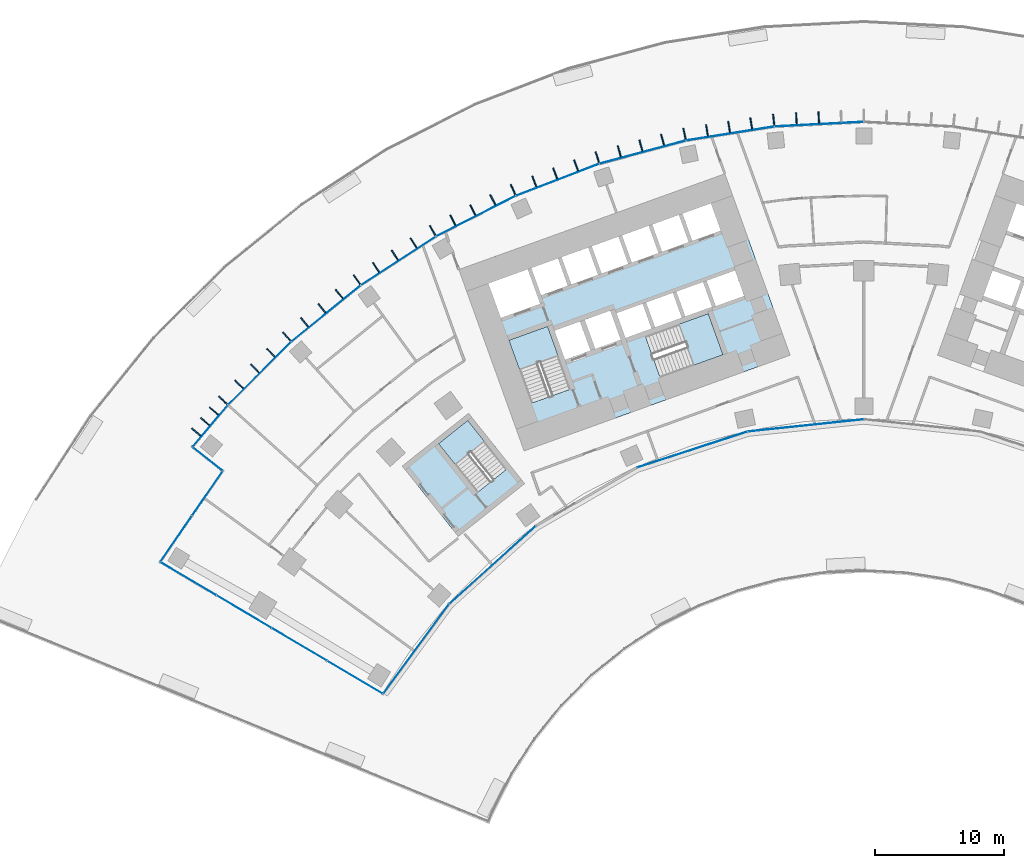
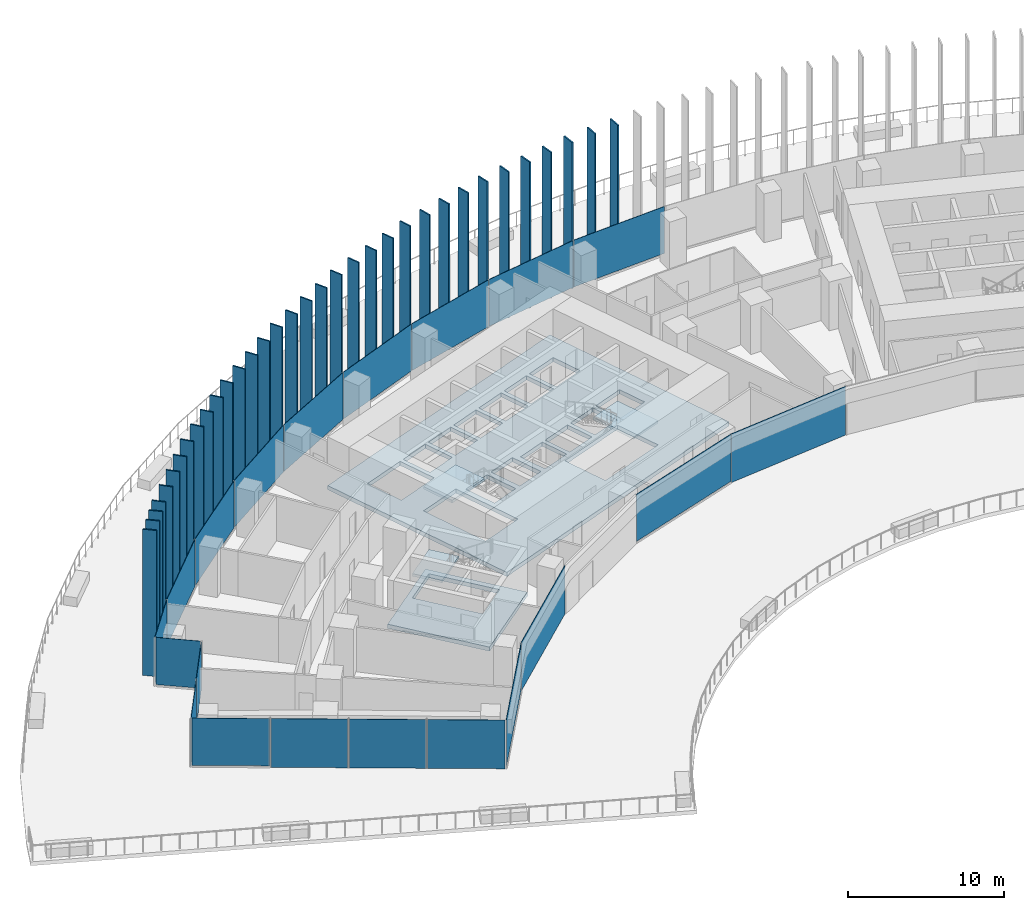
# One storey, part 12 of 24: 54 plates, 5 slabs, 8 elements without a shape of their own.
"""IFC4 building model written with IfcOpenShell, lengths in metres."""

from ifc_helpers import new_model, si_unit, direction, frame, origin, origin_2d, place, context, subcontext, project, spatial, polyline, rectangle, outline, extrude, material, layer, layer_set, type_object, element, aggregate, save


model = new_model("IFC4")

# Units and contexts
model_context = context("Model", 3, precision=1e-05, world=origin(), true_north=direction((0.0, 1.0)))
body_context = subcontext(model_context, "Body", "Model", "MODEL_VIEW")
ifc_project = project(units=[si_unit("LENGTHUNIT", "METRE"), si_unit("AREAUNIT", "SQUARE_METRE"), si_unit("VOLUMEUNIT", "CUBIC_METRE"), si_unit("PLANEANGLEUNIT", "RADIAN"), si_unit("MASSUNIT", "GRAM", prefix="KILO")], contexts=[model_context])

# Site, building, storey
site_placement = place(None, origin())
site = spatial("IfcSite", under=ifc_project, at=site_placement, CompositionType="ELEMENT")
building_placement = place(site_placement, origin())
building = spatial("IfcBuilding", under=site, at=building_placement, Name="Stone Belt Terrace Tower", CompositionType="ELEMENT")
storey_placement = place(building_placement, frame((0.0, 0.0, 30.0)))
storey = spatial("IfcBuildingStorey", under=building, at=storey_placement, Name="L06", CompositionType="ELEMENT", Elevation=30.0)

# Curtain wall, plates
ifc_material_1 = material(Name="Aluminium 6063-T6 anodised frame", Category="aluminium")
ifc_layer_1 = layer(ifc_material_1, 0.14990234375)
ifc_layer_set_1 = layer_set([ifc_layer_1], Name="CW-A unitised convex-face curtain wall")
curtain_wall_type_1 = type_object("IfcCurtainWallType", Name="CW-A unitised convex-face curtain wall", PredefinedType="NOTDEFINED", material=ifc_layer_set_1)
curtain_wall_1_placement = place(storey_placement, origin())
curtain_wall_1 = element("IfcCurtainWall", 1, at=curtain_wall_1_placement, inside=storey, type_object=curtain_wall_type_1, Name="CW-A convex face L06", PredefinedType="NOTDEFINED")
ifc_material_2 = material(Name="Clear double glazed unit")
ifc_layer_2 = layer(ifc_material_2, 0.031982421875)
ifc_layer_set_2 = layer_set([ifc_layer_2], Name="CW-A glass panel 32")
plate_type_1 = type_object("IfcPlateType", Name="CW-A glass panel 32", PredefinedType="CURTAIN_PANEL", material=ifc_layer_set_2)
plate_1_placement = place(storey_placement, frame((-3.4794921875, 66.392822265625, 0.14013671875), z_axis=(0.0, 0.0, 1.0), x_axis=(-0.998629534755, -0.052335956243, 0.0)))
plate_1 = element("IfcPlate", 2, at=plate_1_placement, type_object=plate_type_1, Name="CW-A panel 10.1", PredefinedType="CURTAIN_PANEL", context=body_context, shape_type="SweptSolid", body=[
    extrude(rectangle(XDim=6.90087890625, YDim=0.031982421875, at=origin_2d()), origin(), (0.0, 0.0, 1.0), 3.659912109375),
])
plate_2_placement = place(storey_placement, frame((-10.400390625, 65.665283203125, 0.14013671875), z_axis=(0.0, 0.0, 1.0), x_axis=(-0.987688340595, -0.15643446504, 0.0)))
plate_2 = element("IfcPlate", 3, at=plate_2_placement, type_object=plate_type_1, Name="CW-A panel 11.1", PredefinedType="CURTAIN_PANEL", context=body_context, shape_type="SweptSolid", body=[
    extrude(rectangle(XDim=6.90087890625, YDim=0.031982421875, at=origin_2d()), origin(), (0.0, 0.0, 1.0), 3.659912109375),
])
plate_3_placement = place(storey_placement, frame((-17.207275390625, 64.218505859375, 0.14013671875), z_axis=(0.0, 0.0, 1.0), x_axis=(-0.965925826289, -0.258819045103, 0.0)))
plate_3 = element("IfcPlate", 4, at=plate_3_placement, type_object=plate_type_1, Name="CW-A panel 12.1", PredefinedType="CURTAIN_PANEL", context=body_context, shape_type="SweptSolid", body=[
    extrude(rectangle(XDim=6.90087890625, YDim=0.031982421875, at=origin_2d()), origin(), (0.0, 0.0, 1.0), 3.659912109375),
])
plate_4_placement = place(storey_placement, frame((-23.82568359375, 62.068115234375, 0.14013671875), z_axis=(0.0, 0.0, 1.0), x_axis=(-0.933580426497, -0.358367949545, 0.0)))
plate_4 = element("IfcPlate", 5, at=plate_4_placement, type_object=plate_type_1, Name="CW-A panel 13.1", PredefinedType="CURTAIN_PANEL", context=body_context, shape_type="SweptSolid", body=[
    extrude(rectangle(XDim=6.90087890625, YDim=0.031982421875, at=origin_2d()), origin(), (0.0, 0.0, 1.0), 3.659912109375),
])
plate_5_placement = place(storey_placement, frame((-30.18310546875, 59.237548828125, 0.14013671875), z_axis=(0.0, 0.0, 1.0), x_axis=(-0.891006524188, -0.45399049974, 0.0)))
plate_5 = element("IfcPlate", 6, at=plate_5_placement, type_object=plate_type_1, Name="CW-A panel 14.1", PredefinedType="CURTAIN_PANEL", context=body_context, shape_type="SweptSolid", body=[
    extrude(rectangle(XDim=6.90087890625, YDim=0.031982421875, at=origin_2d()), origin(), (0.0, 0.0, 1.0), 3.659912109375),
])
plate_6_placement = place(storey_placement, frame((-36.209716796875, 55.758056640625, 0.14013671875), z_axis=(0.0, 0.0, 1.0), x_axis=(-0.838670567945, -0.544639035015, 0.0)))
plate_6 = element("IfcPlate", 7, at=plate_6_placement, type_object=plate_type_1, Name="CW-A panel 15.1", PredefinedType="CURTAIN_PANEL", context=body_context, shape_type="SweptSolid", body=[
    extrude(rectangle(XDim=6.90087890625, YDim=0.031982421875, at=origin_2d()), origin(), (0.0, 0.0, 1.0), 3.659912109375),
])
plate_7_placement = place(storey_placement, frame((-41.839599609375, 51.667724609375, 0.14013671875), z_axis=(0.0, 0.0, 1.0), x_axis=(-0.777145961457, -0.62932039105, 0.0)))
plate_7 = element("IfcPlate", 8, at=plate_7_placement, type_object=plate_type_1, Name="CW-A panel 16.1", PredefinedType="CURTAIN_PANEL", context=body_context, shape_type="SweptSolid", body=[
    extrude(rectangle(XDim=6.90087890625, YDim=0.031982421875, at=origin_2d()), origin(), (0.0, 0.0, 1.0), 3.659912109375),
])
plate_8_placement = place(storey_placement, frame((-47.01123046875, 47.01123046875, 0.14013671875), z_axis=(0.0, 0.0, 1.0), x_axis=(-0.707106781187, -0.707106781187, 0.0)))
plate_8 = element("IfcPlate", 9, at=plate_8_placement, type_object=plate_type_1, Name="CW-A panel 17.1", PredefinedType="CURTAIN_PANEL", context=body_context, shape_type="SweptSolid", body=[
    extrude(rectangle(XDim=6.90087890625, YDim=0.031982421875, at=origin_2d()), origin(), (0.0, 0.0, 1.0), 3.659912109375),
])
plate_9_placement = place(storey_placement, frame((-50.84423828125, 42.92626953125, 0.14013671875), z_axis=(0.0, 0.0, 1.0), x_axis=(-0.645291395384, -0.763936525533, 0.0)))
plate_9 = element("IfcPlate", 10, at=plate_9_placement, type_object=plate_type_1, Name="CW-A panel 18.1", PredefinedType="CURTAIN_PANEL", context=body_context, shape_type="SweptSolid", body=[
    extrude(rectangle(XDim=4.17919921875, YDim=0.031982421875, at=origin_2d()), origin(), (0.0, 0.0, 1.0), 3.659912109375),
])
aggregate(curtain_wall_1, [plate_1, plate_2, plate_3, plate_4, plate_5, plate_6, plate_7, plate_8, plate_9])

ifc_layer_3 = layer(ifc_material_1, 0.14990234375)
ifc_layer_set_3 = layer_set([ifc_layer_3], Name="CW-B unitised concave-face curtain wall")
curtain_wall_type_2 = type_object("IfcCurtainWallType", Name="CW-B unitised concave-face curtain wall", PredefinedType="NOTDEFINED", material=ifc_layer_set_3)
curtain_wall_2_placement = place(storey_placement, origin())
curtain_wall_2 = element("IfcCurtainWall", 11, at=curtain_wall_2_placement, inside=storey, type_object=curtain_wall_type_2, Name="CW-B concave face L06", PredefinedType="NOTDEFINED")
ifc_layer_4 = layer(ifc_material_2, 0.030029296875)
ifc_layer_set_4 = layer_set([ifc_layer_4], Name="CW-B glass panel 30")
plate_type_2 = type_object("IfcPlateType", Name="CW-B glass panel 30", PredefinedType="CURTAIN_PANEL", material=ifc_layer_set_4)
plate_10_placement = place(storey_placement, frame((-34.831787109375, 25.57177734375, 0.1201171875), z_axis=(0.0, 0.0, 1.0), x_axis=(0.592159017675, 0.805821132626, 0.0)))
plate_10 = element("IfcPlate", 12, at=plate_10_placement, type_object=plate_type_2, Name="CW-B panel 1.1", PredefinedType="CURTAIN_PANEL", context=body_context, shape_type="SweptSolid", body=[
    extrude(rectangle(XDim=8.583984375, YDim=0.030029296875, at=origin_2d()), origin(), (0.0, 0.0, 1.0), 3.679931640625),
])
plate_11_placement = place(storey_placement, frame((-28.897705078125, 32.09375, 0.0), z_axis=(0.0, 0.0, 1.0), x_axis=(0.743144825477, 0.669130606359, 0.0)))
plate_11 = element("IfcPlate", 13, at=plate_11_placement, type_object=plate_type_2, Name="CW-B panel 2.1", PredefinedType="CURTAIN_PANEL", context=body_context, shape_type="SweptSolid", body=[
    extrude(rectangle(XDim=9.01318359375, YDim=0.030029296875, at=origin_2d()), origin(), (0.0, 0.0, 1.0), 3.800048828125),
])
plate_12_placement = place(storey_placement, frame((-13.345458984375, 41.072998046875, 0.1201171875), z_axis=(0.0, 0.0, 1.0), x_axis=(0.951056516295, 0.309016994375, 0.0)))
plate_12 = element("IfcPlate", 14, at=plate_12_placement, type_object=plate_type_2, Name="CW-B panel 4.1", PredefinedType="CURTAIN_PANEL", context=body_context, shape_type="SweptSolid", body=[
    extrude(rectangle(XDim=9.0126953125, YDim=0.030029296875, at=origin_2d()), origin(), (0.0, 0.0, 1.0), 3.679931640625),
])
plate_13_placement = place(storey_placement, frame((-4.51416015625, 42.9501953125, 0.0), z_axis=(0.0, 0.0, 1.0), x_axis=(0.994521895368, 0.104528463268, 0.0)))
plate_13 = element("IfcPlate", 15, at=plate_13_placement, type_object=plate_type_2, Name="CW-B panel 5.1", PredefinedType="CURTAIN_PANEL", context=body_context, shape_type="SweptSolid", body=[
    extrude(rectangle(XDim=9.0126953125, YDim=0.030029296875, at=origin_2d()), origin(), (0.0, 0.0, 1.0), 3.800048828125),
])
aggregate(curtain_wall_2, [plate_10, plate_11, plate_12, plate_13])

# Curtain wall, plate
ifc_layer_5 = layer(ifc_material_1, 0.14990234375)
ifc_layer_set_5 = layer_set([ifc_layer_5], Name="CW-C stick curtain wall, horn ends and notches")
curtain_wall_type_3 = type_object("IfcCurtainWallType", Name="CW-C stick curtain wall, horn ends and notches", PredefinedType="NOTDEFINED", material=ifc_layer_set_5)
curtain_wall_3_placement = place(storey_placement, origin())
curtain_wall_3 = element("IfcCurtainWall", 16, at=curtain_wall_3_placement, inside=storey, type_object=curtain_wall_type_3, Name="CW-C notch face L06", PredefinedType="NOTDEFINED")
ifc_layer_6 = layer(ifc_material_2, 0.028076171875)
ifc_layer_set_6 = layer_set([ifc_layer_6], Name="CW-C glass panel 28")
plate_type_3 = type_object("IfcPlateType", Name="CW-C glass panel 28", PredefinedType="CURTAIN_PANEL", material=ifc_layer_set_6)
plate_14_placement = place(storey_placement, frame((-51.061279296875, 40.3388671875, 0.1201171875), z_axis=(0.0, 0.0, 1.0), x_axis=(0.783963828584, -0.620806504051, 0.0)))
plate_14 = element("IfcPlate", 17, at=plate_14_placement, type_object=plate_type_3, Name="CW-C panel 1.1", PredefinedType="CURTAIN_PANEL", context=body_context, shape_type="SweptSolid", body=[
    extrude(rectangle(XDim=2.859375, YDim=0.028076171875, at=origin_2d()), origin(), (0.0, 0.0, 1.0), 3.679931640625),
])
aggregate(curtain_wall_3, [plate_14])

# Curtain wall, plates
curtain_wall_4_placement = place(storey_placement, origin())
curtain_wall_4 = element("IfcCurtainWall", 18, at=curtain_wall_4_placement, inside=storey, type_object=curtain_wall_type_3, Name="CW-C notch face L06", PredefinedType="NOTDEFINED")
plate_15_placement = place(storey_placement, frame((-51.091552734375, 37.647705078125, 0.1201171875), z_axis=(0.0, 0.0, 1.0), x_axis=(-0.566375967567, -0.824146991357, 0.0)))
plate_15 = element("IfcPlate", 19, at=plate_15_placement, type_object=plate_type_3, Name="CW-C panel 1.1", PredefinedType="CURTAIN_PANEL", context=body_context, shape_type="SweptSolid", body=[
    extrude(rectangle(XDim=4.12060546875, YDim=0.028076171875, at=origin_2d()), origin(), (0.0, 0.0, 1.0), 3.679931640625),
])
plate_16_placement = place(storey_placement, frame((-53.501220703125, 34.141357421875, 0.0), z_axis=(0.0, 0.0, 1.0), x_axis=(-0.566375967567, -0.824146991357, 0.0)))
plate_16 = element("IfcPlate", 20, at=plate_16_placement, type_object=plate_type_3, Name="CW-C panel 2.1", PredefinedType="CURTAIN_PANEL", context=body_context, shape_type="SweptSolid", body=[
    extrude(rectangle(XDim=4.268798828125, YDim=0.028076171875, at=origin_2d()), origin(), (0.0, 0.0, 1.0), 3.800048828125),
])
aggregate(curtain_wall_4, [plate_15, plate_16])

curtain_wall_5_placement = place(storey_placement, origin())
curtain_wall_5 = element("IfcCurtainWall", 21, at=curtain_wall_5_placement, inside=storey, type_object=curtain_wall_type_3, Name="CW-C end face L06", PredefinedType="NOTDEFINED")
plate_17_placement = place(storey_placement, frame((-52.54736328125, 31.014892578125, 0.1201171875), z_axis=(0.0, 0.0, 1.0), x_axis=(0.860557728521, -0.509352918793, 0.0)))
plate_17 = element("IfcPlate", 22, at=plate_17_placement, type_object=plate_type_3, Name="CW-C panel 1.1", PredefinedType="CURTAIN_PANEL", context=body_context, shape_type="SweptSolid", body=[
    extrude(rectangle(XDim=4.974853515625, YDim=0.028076171875, at=origin_2d()), origin(), (0.0, 0.0, 1.0), 3.679931640625),
])
plate_18_placement = place(storey_placement, frame((-48.2294921875, 28.459228515625, 0.0), z_axis=(0.0, 0.0, 1.0), x_axis=(0.860557728521, -0.509352918793, 0.0)))
plate_18 = element("IfcPlate", 23, at=plate_18_placement, type_object=plate_type_3, Name="CW-C panel 2.1", PredefinedType="CURTAIN_PANEL", context=body_context, shape_type="SweptSolid", body=[
    extrude(rectangle(XDim=4.93994140625, YDim=0.028076171875, at=origin_2d()), origin(), (0.0, 0.0, 1.0), 3.800048828125),
])
plate_19_placement = place(storey_placement, frame((-43.9267578125, 25.912353515625, 0.0), z_axis=(0.0, 0.0, 1.0), x_axis=(0.860557728521, -0.509352918793, 0.0)))
plate_19 = element("IfcPlate", 24, at=plate_19_placement, type_object=plate_type_3, Name="CW-C panel 3.1", PredefinedType="CURTAIN_PANEL", context=body_context, shape_type="SweptSolid", body=[
    extrude(rectangle(XDim=4.93994140625, YDim=0.028076171875, at=origin_2d()), origin(), (0.0, 0.0, 1.0), 3.800048828125),
])
plate_20_placement = place(storey_placement, frame((-39.613037109375, 23.359130859375, 0.0), z_axis=(0.0, 0.0, 1.0), x_axis=(0.860557728521, -0.509352918793, 0.0)))
plate_20 = element("IfcPlate", 25, at=plate_20_placement, type_object=plate_type_3, Name="CW-C panel 4.1", PredefinedType="CURTAIN_PANEL", context=body_context, shape_type="SweptSolid", body=[
    extrude(rectangle(XDim=4.96533203125, YDim=0.028076171875, at=origin_2d()), origin(), (0.0, 0.0, 1.0), 3.800048828125),
])
aggregate(curtain_wall_5, [plate_17, plate_18, plate_19, plate_20])

# Slabs
ifc_material_3 = material(Name="Concrete B40", Category="concrete")
ifc_layer_7 = layer(ifc_material_3, 0.320068359375)
ifc_layer_set_7 = layer_set([ifc_layer_7], Name="Core floor slab 320")
slab_type_1 = type_object("IfcSlabType", Name="Core floor slab 320", PredefinedType="FLOOR", material=ifc_layer_set_7)
slab_1_placement = place(storey_placement, frame((0.0, 0.0, -0.320068359375)))
element("IfcSlab", 26, at=slab_1_placement, inside=storey, type_object=slab_type_1, Name="Core A floor L06", PredefinedType="FLOOR", context=body_context, shape_type="SweptSolid", body=[
    extrude(outline(polyline([(-26.43505859375, 40.968994140625), (-5.735107421875, 48.4189453125), (-10.81396484375, 62.531982421875), (-31.513916015625, 55.0830078125), (-26.43505859375, 40.968994140625)]), holes=[polyline([(-24.60791015625, 50.659912109375), (-22.847900390625, 45.76806640625), (-25.85888671875, 44.68408203125), (-27.618896484375, 49.575927734375), (-24.60791015625, 50.659912109375)]), polyline([(-21.27392578125, 48.778076171875), (-23.25, 48.06689453125), (-24.06298828125, 50.324951171875), (-22.0869140625, 51.035888671875), (-21.27392578125, 48.778076171875)]), polyline([(-18.922119140625, 49.6240234375), (-20.89794921875, 48.9130859375), (-21.7109375, 51.1708984375), (-19.735107421875, 51.883056640625), (-18.922119140625, 49.6240234375)]), polyline([(-19.239990234375, 51.68896484375), (-17.217041015625, 52.4169921875), (-16.52294921875, 50.488037109375), (-18.5458984375, 49.760009765625), (-19.239990234375, 51.68896484375)]), polyline([(-29.2109375, 53.9990234375), (-26.153076171875, 55.09912109375), (-25.18798828125, 52.41796875), (-28.24609375, 51.31689453125), (-29.2109375, 53.9990234375)]), polyline([(-23.801025390625, 55.946044921875), (-23.0390625, 53.8291015625), (-25.10888671875, 53.083984375), (-25.87109375, 55.200927734375), (-23.801025390625, 55.946044921875)]), polyline([(-21.447998046875, 56.7919921875), (-20.68603515625, 54.675048828125), (-22.756103515625, 53.929931640625), (-23.51806640625, 56.047119140625), (-21.447998046875, 56.7919921875)]), polyline([(-19.095947265625, 57.638916015625), (-18.333984375, 55.52197265625), (-20.404052734375, 54.777099609375), (-21.166015625, 56.89404296875), (-19.095947265625, 57.638916015625)]), polyline([(-15.846923828125, 46.69189453125), (-16.998046875, 49.89208984375), (-12.10595703125, 51.652099609375), (-10.955078125, 48.452880859375), (-15.846923828125, 46.69189453125)]), polyline([(-16.239990234375, 50.589111328125), (-16.93408203125, 52.51806640625), (-14.864013671875, 53.262939453125), (-14.169921875, 51.333984375), (-16.239990234375, 50.589111328125)]), polyline([(-11.801025390625, 52.134033203125), (-11.847900390625, 52.116943359375), (-11.864990234375, 52.1640625), (-13.887939453125, 51.43603515625), (-14.58203125, 53.364990234375), (-12.511962890625, 54.110107421875), (-11.801025390625, 52.134033203125)]), polyline([(-9.30810546875, 53.031005859375), (-11.51904296875, 52.235107421875), (-12.22998046875, 54.2109375), (-10.01904296875, 55.007080078125), (-9.30810546875, 53.031005859375)]), polyline([(-16.743896484375, 58.485107421875), (-15.98193359375, 56.367919921875), (-18.052001953125, 55.623046875), (-18.81396484375, 57.739990234375), (-16.743896484375, 58.485107421875)]), polyline([(-14.39111328125, 59.33203125), (-13.6298828125, 57.215087890625), (-15.699951171875, 56.469970703125), (-16.4609375, 58.5869140625), (-14.39111328125, 59.33203125)]), polyline([(-11.89794921875, 60.22900390625), (-11.135986328125, 58.112060546875), (-13.346923828125, 57.31591796875), (-14.10888671875, 59.43408203125), (-11.89794921875, 60.22900390625)])]), origin(), (0.0, 0.0, 1.0), 0.320068359375),
])
slab_2_placement = place(storey_placement, frame((0.0, 0.0, -0.320068359375)))
element("IfcSlab", 27, at=slab_2_placement, inside=storey, type_object=slab_type_1, Name="Exit stair ST3A floor L06", PredefinedType="FLOOR", context=body_context, shape_type="SweptSolid", body=[
    extrude(outline(polyline([(-26.39404296875, 38.425048828125), (-30.756103515625, 43.89990234375), (-35.91796875, 39.787109375), (-31.555908203125, 34.31298828125), (-26.39404296875, 38.425048828125)]), holes=[polyline([(-27.798095703125, 39.544921875), (-30.06591796875, 37.738037109375), (-33.087890625, 41.531005859375), (-30.820068359375, 43.337890625), (-27.798095703125, 39.544921875)])]), origin(), (0.0, 0.0, 1.0), 0.320068359375),
])

# Stair, slab
stair_type = type_object("IfcStairType", Name="Exit stair 1500", PredefinedType="HALF_TURN_STAIR", material=ifc_material_3)
stair_1_placement = place(storey_placement, origin())
stair_1 = element("IfcStair", 28, at=stair_1_placement, inside=storey, type_object=stair_type, Name="L06 Exit stair 1 core A", PredefinedType="HALF_TURN_STAIR")
ifc_layer_8 = layer(ifc_material_3, 0.199951171875)
ifc_layer_set_8 = layer_set([ifc_layer_8], Name="Stair landing 200")
slab_type_2 = type_object("IfcSlabType", Name="Stair landing 200", PredefinedType="LANDING", material=ifc_layer_set_8)
slab_3_placement = place(storey_placement, frame((0.0, 0.0, 1.699951171875)))
slab_3 = element("IfcSlab", 29, at=slab_3_placement, type_object=slab_type_2, Name="ST1A landing 1", PredefinedType="LANDING", context=body_context, shape_type="SweptSolid", body=[
    extrude(outline(polyline([(-23.79541015625, 48.40087890625), (-24.6083984375, 50.659912109375), (-27.619384765625, 49.576171875), (-26.806396484375, 47.3173828125), (-23.79541015625, 48.40087890625)])), origin(), (0.0, 0.0, 1.0), 0.199951171875),
])
aggregate(stair_1, [slab_3])

stair_2_placement = place(storey_placement, origin())
stair_2 = element("IfcStair", 30, at=stair_2_placement, inside=storey, type_object=stair_type, Name="L06 Exit stair 2 core A", PredefinedType="HALF_TURN_STAIR")
slab_4_placement = place(storey_placement, frame((0.0, 0.0, 1.699951171875)))
slab_4 = element("IfcSlab", 31, at=slab_4_placement, type_object=slab_type_2, Name="ST2A landing 1", PredefinedType="LANDING", context=body_context, shape_type="SweptSolid", body=[
    extrude(outline(polyline([(-13.213623046875, 47.64013671875), (-10.95458984375, 48.453125), (-12.10595703125, 51.652099609375), (-14.36474609375, 50.839111328125), (-13.213623046875, 47.64013671875)])), origin(), (0.0, 0.0, 1.0), 0.199951171875),
])
aggregate(stair_2, [slab_4])

stair_3_placement = place(storey_placement, origin())
stair_3 = element("IfcStair", 32, at=stair_3_placement, inside=storey, type_object=stair_type, Name="L06 Exit stair 3A", PredefinedType="HALF_TURN_STAIR")
slab_5_placement = place(storey_placement, frame((0.0, 0.0, 1.699951171875)))
slab_5 = element("IfcSlab", 33, at=slab_5_placement, type_object=slab_type_2, Name="ST3A landing 1", PredefinedType="LANDING", context=body_context, shape_type="SweptSolid", body=[
    extrude(outline(polyline([(-29.541748046875, 41.73388671875), (-30.819580078125, 43.337890625), (-33.087646484375, 41.53076171875), (-31.809814453125, 39.9267578125), (-29.541748046875, 41.73388671875)])), origin(), (0.0, 0.0, 1.0), 0.199951171875),
])
aggregate(stair_3, [slab_5])

# Plates
ifc_material_4 = material(Name="Terracotta coloured glazed ceramic", Category="masonry")
ifc_layer_9 = layer(ifc_material_4, 0.10009765625)
ifc_layer_set_9 = layer_set([ifc_layer_9], Name="Terracotta fin 100 x 900")
plate_type_4 = type_object("IfcPlateType", Name="Terracotta fin 100 x 900", PredefinedType="SHEET", material=ifc_layer_set_9)
for number, where, z_axis, x_axis, name in (
    (34, (-3.507080078125, 66.9169921875, 0.0), (0.0, 0.0, 1.0), (-0.052335956243, 0.998629534755, 0.0), "FIN L06 10.3"),
    (35, (-5.246826171875, 66.825927734375, 0.0), (0.0, 0.0, 1.0), (-0.052335956243, 0.998629534755, 0.0), "FIN L06 10.4"),
    (36, (-7.013916015625, 66.732421875, 0.0), (0.0, 0.0, 1.0), (-0.104528463268, 0.994521895368, 0.0), "FIN L06 11.1"),
    (37, (-8.76171875, 66.456298828125, 0.0), (0.0, 0.0, 1.0), (-0.15643446504, 0.987688340595, 0.0), "FIN L06 11.2"),
    (38, (-10.482421875, 66.183837890625, 0.0), (0.0, 0.0, 1.0), (-0.15643446504, 0.987688340595, 0.0), "FIN L06 11.3"),
    (39, (-12.203125, 65.911376953125, 0.0), (0.0, 0.0, 1.0), (-0.15643446504, 0.987688340595, 0.0), "FIN L06 11.4"),
    (40, (-13.950927734375, 65.6337890625, 0.0), (0.0, 0.0, 1.0), (-0.207911690818, 0.978147600734, 0.0), "FIN L06 12.1"),
    (41, (-15.660400390625, 65.176513671875, 0.0), (0.0, 0.0, 1.0), (-0.258819045103, 0.965925826289, 0.0), "FIN L06 12.2"),
    (42, (-17.34326171875, 64.7255859375, 0.0), (0.0, 0.0, 1.0), (-0.258819045103, 0.965925826289, 0.0), "FIN L06 12.3"),
    (43, (-19.02587890625, 64.274658203125, 0.0), (0.0, 0.0, 1.0), (-0.258819045103, 0.965925826289, 0.0), "FIN L06 12.4"),
    (44, (-20.735107421875, 63.81591796875, 0.0), (0.0, 0.0, 1.0), (-0.309016994375, 0.951056516295, 0.0), "FIN L06 13.1"),
    (45, (-22.387451171875, 63.182373046875, 0.0), (0.0, 0.0, 1.0), (-0.358367949545, 0.933580426497, 0.0), "FIN L06 13.2"),
    (46, (-24.013916015625, 62.55810546875, 0.0), (0.0, 0.0, 1.0), (-0.358367949545, 0.933580426497, 0.0), "FIN L06 13.3"),
    (47, (-25.64013671875, 61.933837890625, 0.0), (0.0, 0.0, 1.0), (-0.358367949545, 0.933580426497, 0.0), "FIN L06 13.4"),
    (48, (-27.2919921875, 61.299072265625, 0.0), (0.0, 0.0, 1.0), (-0.406736643076, 0.913545457643, 0.0), "FIN L06 14.1"),
    (49, (-28.869140625, 60.496337890625, 0.0), (0.0, 0.0, 1.0), (-0.45399049974, 0.891006524188, 0.0), "FIN L06 14.2"),
    (50, (-30.42138671875, 59.705322265625, 0.0), (0.0, 0.0, 1.0), (-0.45399049974, 0.891006524188, 0.0), "FIN L06 14.3"),
    (51, (-31.9736328125, 58.914306640625, 0.0), (0.0, 0.0, 1.0), (-0.45399049974, 0.891006524188, 0.0), "FIN L06 14.4"),
    (52, (-33.550048828125, 58.1103515625, 0.0), (0.0, 0.0, 1.0), (-0.5, 0.866025403784, 0.0), "FIN L06 15.1"),
    (53, (-35.03466796875, 57.147216796875, 0.0), (0.0, 0.0, 1.0), (-0.544639035015, 0.838670567945, 0.0), "FIN L06 15.2"),
    (54, (-36.49560546875, 56.1982421875, 0.0), (0.0, 0.0, 1.0), (-0.544639035015, 0.838670567945, 0.0), "FIN L06 15.3"),
    (55, (-37.956787109375, 55.24951171875, 0.0), (0.0, 0.0, 1.0), (-0.544639035015, 0.838670567945, 0.0), "FIN L06 15.4"),
    (56, (-39.4404296875, 54.28515625, 0.0), (0.0, 0.0, 1.0), (-0.587785252292, 0.809016994375, 0.0), "FIN L06 16.1"),
    (57, (-40.816162109375, 53.172119140625, 0.0), (0.0, 0.0, 1.0), (-0.62932039105, 0.777145961457, 0.0), "FIN L06 16.2"),
    (58, (-42.170166015625, 52.07568359375, 0.0), (0.0, 0.0, 1.0), (-0.62932039105, 0.777145961457, 0.0), "FIN L06 16.3"),
    (59, (-43.52392578125, 50.979248046875, 0.0), (0.0, 0.0, 1.0), (-0.62932039105, 0.777145961457, 0.0), "FIN L06 16.4"),
    (60, (-44.898681640625, 49.864990234375, 0.0), (0.0, 0.0, 1.0), (-0.669130606359, 0.743144825477, 0.0), "FIN L06 17.1"),
    (61, (-46.150390625, 48.614501953125, 0.0), (0.0, 0.0, 1.0), (-0.707106781187, 0.707106781187, 0.0), "FIN L06 17.2"),
    (62, (-47.382080078125, 47.3828125, 0.0), (0.0, 0.0, 1.0), (-0.707106781187, 0.707106781187, 0.0), "FIN L06 17.3"),
    (63, (-48.61376953125, 46.15087890625, 0.0), (0.0, 0.0, 1.0), (-0.707106781187, 0.707106781187, 0.0), "FIN L06 17.4"),
    (64, (-49.86083984375, 44.9033203125, 0.0), (0.0, 0.0, 1.0), (-0.73617076011, 0.676795842155, 0.0), "FIN L06 18.1"),
    (65, (-50.567138671875, 44.068115234375, 0.0), (0.0, 0.0, 1.0), (-0.763936525533, 0.645291395384, 0.0), "FIN L06 18.2"),
    (66, (-51.2587890625, 43.249267578125, 0.0), (0.0, 0.0, 1.0), (-0.763936525533, 0.645291395384, 0.0), "FIN L06 18.3"),
    (67, (-51.9501953125, 42.430419921875, 0.0), (0.0, 0.0, 1.0), (-0.763936525533, 0.645291395384, 0.0), "FIN L06 18.4"),
):
    element("IfcPlate", number, at=place(storey_placement, frame(where, z_axis=z_axis, x_axis=x_axis)), inside=storey, type_object=plate_type_4, Name=name, PredefinedType="SHEET", context=body_context, shape_type="SweptSolid", body=[
        extrude(rectangle(XDim=0.89990234375, YDim=0.10009765625, at=origin_2d()), origin(), (0.0, 0.0, 1.0), 11.39990234375),
    ])

save(model, "model.ifc")
